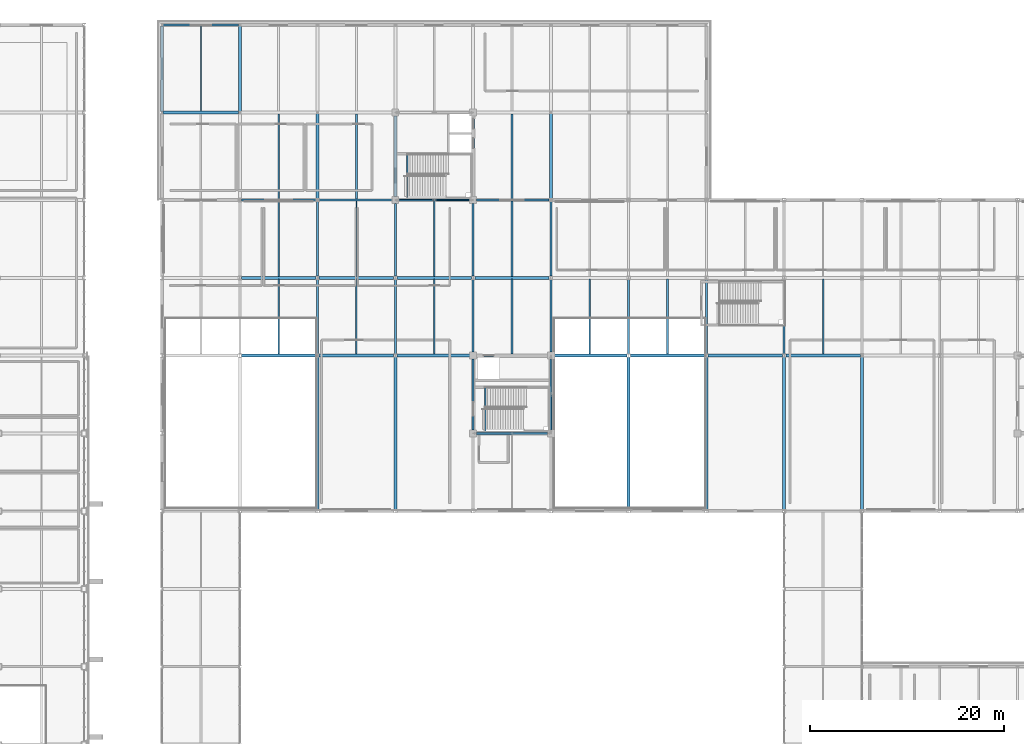
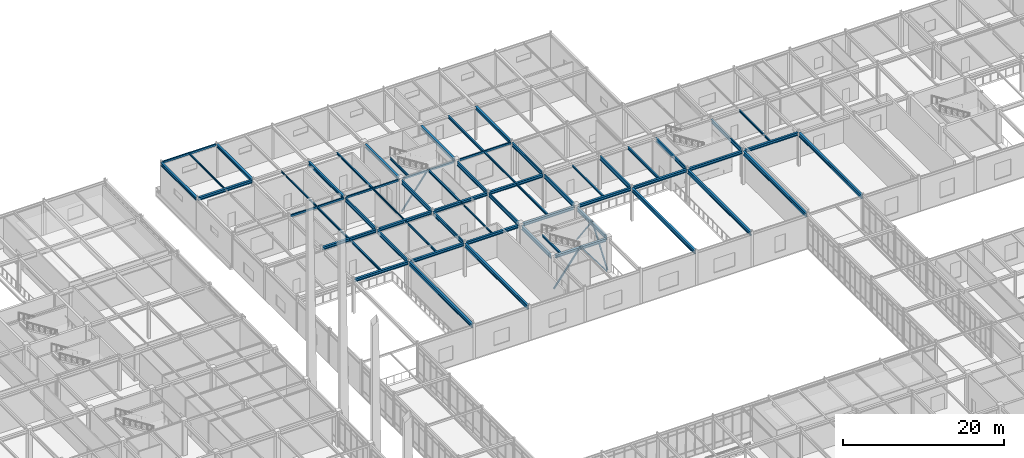
# One storey, part 70 of 184: 61 beams, 6 members.
"""IFC4 building model written with IfcOpenShell, lengths in metres."""

from ifc_helpers import new_model, si_unit, direction, frame, origin, origin_2d, place, context, subcontext, project, spatial, hollow_rectangle, i_section, extrude, material, material_profile, profile_set, type_object, element, save


model = new_model("IFC4")

# Units and contexts
model_context = context("Model", 3, precision=1e-05, world=origin(), true_north=direction((0.0, 1.0)))
body_context = subcontext(model_context, "Body", "Model", "MODEL_VIEW")
ifc_project = project(units=[si_unit("LENGTHUNIT", "METRE"), si_unit("AREAUNIT", "SQUARE_METRE"), si_unit("VOLUMEUNIT", "CUBIC_METRE"), si_unit("PLANEANGLEUNIT", "RADIAN"), si_unit("MASSUNIT", "GRAM", prefix="KILO")], contexts=[model_context])

# Site, building, storey
site_placement = place(None, origin())
site = spatial("IfcSite", under=ifc_project, at=site_placement, CompositionType="ELEMENT")
building_placement = place(site_placement, origin())
building = spatial("IfcBuilding", under=site, at=building_placement, Name="Zhaolan Boulevard Law Courts", CompositionType="ELEMENT")
storey_placement = place(building_placement, frame((0.0, 0.0, 5.39990234375)))
storey = spatial("IfcBuildingStorey", under=building, at=storey_placement, Name="L01", CompositionType="ELEMENT", Elevation=5.39990234375)

# Members
ifc_material_1 = material(Name="Structural steel Q355B", Category="steel")
ifc_material_profile_1 = material_profile(ifc_material_1, hollow_rectangle(XDim=0.159912109375, YDim=0.159912109375, WallThickness=0.008056640625, InnerFilletRadius=0.008056640625, OuterFilletRadius=0.01611328125, at=origin_2d()), Name="HSS160x160x8")
ifc_profile_set_1 = profile_set([ifc_material_profile_1], Name="Structural steel Q355B")
member_type_1 = type_object("IfcMemberType", Name="BRACE HSS160", PredefinedType="BRACE", material=ifc_profile_set_1)
for number, where, z_axis, x_axis, name in (
    (1, (92.0, 77.820068359375, 0.030029296875), (0.0, -0.600251625626, 0.799811218935), (1.0, 0.0, 0.0), "Core Brace BR-T1-L01-E2"),
    (2, (83.820068359375, 94.0, 0.030029296875), (-0.600251625626, 0.0, 0.799811218935), (0.0, -1.0, 0.0), "Core Brace BR-C1-L01-S2"),
):
    element("IfcMember", number, at=place(storey_placement, frame(where, z_axis=z_axis, x_axis=x_axis)), inside=storey, type_object=member_type_1, Name=name, PredefinedType="BRACE", context=body_context, shape_type="SweptSolid", body=[
        extrude(hollow_rectangle(XDim=0.159912109375, YDim=0.159912109375, WallThickness=0.008056640625, InnerFilletRadius=0.008056640625, OuterFilletRadius=0.01611328125, at=origin_2d()), origin(), (0.0, 0.0, 1.0), 6.364013671875),
    ])
ifc_material_2 = material(Name="Structural steel Q355B", Category="steel")
ifc_material_profile_2 = material_profile(ifc_material_2, hollow_rectangle(XDim=0.179931640625, YDim=0.179931640625, WallThickness=0.008056640625, InnerFilletRadius=0.008056640625, OuterFilletRadius=0.01611328125, at=origin_2d()), Name="HSS180x180x8")
ifc_profile_set_2 = profile_set([ifc_material_profile_2], Name="Structural steel Q355B")
member_type_2 = type_object("IfcMemberType", Name="BRACE HSS180", PredefinedType="BRACE", material=ifc_profile_set_2)
for number, where, z_axis, x_axis, name in (
    (3, (91.820068359375, 70.0, 0.030029296875), (-0.600251625626, 0.0, 0.799811218935), (0.0, -1.0, 0.0), "Core Brace BR-T1-L01-S2"),
    (4, (92.0, 70.179931640625, 0.030029296875), (0.0, 0.600251625626, 0.799811218935), (-1.0, 0.0, 0.0), "Core Brace BR-T1-L01-E1"),
    (5, (76.179931640625, 94.0, 0.030029296875), (0.600251625626, 0.0, 0.799811218935), (0.0, 1.0, 0.0), "Core Brace BR-C1-L01-S1"),
):
    element("IfcMember", number, at=place(storey_placement, frame(where, z_axis=z_axis, x_axis=x_axis)), inside=storey, type_object=member_type_2, Name=name, PredefinedType="BRACE", context=body_context, shape_type="SweptSolid", body=[
        extrude(hollow_rectangle(XDim=0.179931640625, YDim=0.179931640625, WallThickness=0.008056640625, InnerFilletRadius=0.008056640625, OuterFilletRadius=0.01611328125, at=origin_2d()), origin(), (0.0, 0.0, 1.0), 6.364013671875),
    ])
ifc_material_3 = material(Name="Structural steel Q355B", Category="steel")
ifc_material_profile_3 = material_profile(ifc_material_3, hollow_rectangle(XDim=0.199951171875, YDim=0.199951171875, WallThickness=0.010009765625, InnerFilletRadius=0.010009765625, OuterFilletRadius=0.02001953125, at=origin_2d()), Name="HSS200x200x10")
ifc_profile_set_3 = profile_set([ifc_material_profile_3], Name="Structural steel Q355B")
member_type_3 = type_object("IfcMemberType", Name="BRACE HSS200", PredefinedType="BRACE", material=ifc_profile_set_3)
member_placement = place(storey_placement, frame((84.179931640625, 70.0, 0.030029296875), z_axis=(0.600251625626, 0.0, 0.799811218935), x_axis=(0.0, 1.0, 0.0)))
element("IfcMember", 6, at=member_placement, inside=storey, type_object=member_type_3, Name="Core Brace BR-T1-L01-S1", PredefinedType="BRACE", context=body_context, shape_type="SweptSolid", body=[
    extrude(hollow_rectangle(XDim=0.199951171875, YDim=0.199951171875, WallThickness=0.010009765625, InnerFilletRadius=0.010009765625, OuterFilletRadius=0.02001953125, at=origin_2d()), origin(), (0.0, 0.0, 1.0), 6.364013671875),
])

# Beams
ifc_material_4 = material(Name="Structural steel Q355B", Category="steel")
ifc_material_profile_4 = material_profile(ifc_material_4, i_section(OverallWidth=0.300048828125, OverallDepth=0.43994140625, WebThickness=0.010986328125, FlangeThickness=0.01806640625, FilletRadius=0.02001953125, at=origin_2d()), Name="HM440x300")
ifc_profile_set_4 = profile_set([ifc_material_profile_4], Name="Structural steel Q355B")
beam_type_1 = type_object("IfcBeamType", Name="GIRDER HM440", PredefinedType="BEAM", material=ifc_profile_set_4)
beam_1_placement = place(storey_placement, frame((84.345947265625, 70.0, 4.898193359375), z_axis=(1.0, 0.0, 0.0), x_axis=(0.0, 1.0, 0.0)))
element("IfcBeam", 7, at=beam_1_placement, inside=storey, type_object=beam_type_1, Name="Beam BX-L02-11-12-K", PredefinedType="BEAM", context=body_context, shape_type="SweptSolid", body=[
    extrude(i_section(OverallWidth=0.300048828125, OverallDepth=0.43994140625, WebThickness=0.010986328125, FlangeThickness=0.01806640625, FilletRadius=0.02001953125, at=origin_2d()), origin(), (0.0, 0.0, 1.0), 7.30810546875),
])
for number, where, z_axis, x_axis, name in (
    (8, (60.1708984375, 78.0, 4.898193359375), (1.0, 0.0, 0.0), (0.0, 1.0, 0.0), "Beam BX-L02-8-9-L"),
    (9, (68.1708984375, 78.0, 4.898193359375), (1.0, 0.0, 0.0), (0.0, 1.0, 0.0), "Beam BX-L02-9-10-L"),
):
    element("IfcBeam", number, at=place(storey_placement, frame(where, z_axis=z_axis, x_axis=x_axis)), inside=storey, type_object=beam_type_1, Name=name, PredefinedType="BEAM", context=body_context, shape_type="SweptSolid", body=[
        extrude(i_section(OverallWidth=0.300048828125, OverallDepth=0.43994140625, WebThickness=0.010986328125, FlangeThickness=0.01806640625, FilletRadius=0.02001953125, at=origin_2d()), origin(), (0.0, 0.0, 1.0), 7.658203125),
    ])
beam_2_placement = place(storey_placement, frame((76.1708984375, 78.0, 4.898193359375), z_axis=(1.0, 0.0, 0.0), x_axis=(0.0, 1.0, 0.0)))
element("IfcBeam", 10, at=beam_2_placement, inside=storey, type_object=beam_type_1, Name="Beam BX-L02-10-11-L", PredefinedType="BEAM", context=body_context, shape_type="SweptSolid", body=[
    extrude(i_section(OverallWidth=0.300048828125, OverallDepth=0.43994140625, WebThickness=0.010986328125, FlangeThickness=0.01806640625, FilletRadius=0.02001953125, at=origin_2d()), origin(), (0.0, 0.0, 1.0), 7.483154296875),
])
beam_3_placement = place(storey_placement, frame((84.345947265625, 78.0, 4.898193359375), z_axis=(1.0, 0.0, 0.0), x_axis=(0.0, 1.0, 0.0)))
element("IfcBeam", 11, at=beam_3_placement, inside=storey, type_object=beam_type_1, Name="Beam BX-L02-11-12-L", PredefinedType="BEAM", context=body_context, shape_type="SweptSolid", body=[
    extrude(i_section(OverallWidth=0.300048828125, OverallDepth=0.43994140625, WebThickness=0.010986328125, FlangeThickness=0.01806640625, FilletRadius=0.02001953125, at=origin_2d()), origin(), (0.0, 0.0, 1.0), 7.30810546875),
])
beam_4_placement = place(storey_placement, frame((92.345947265625, 78.0, 4.898193359375), z_axis=(1.0, 0.0, 0.0), x_axis=(0.0, 1.0, 0.0)))
element("IfcBeam", 12, at=beam_4_placement, inside=storey, type_object=beam_type_1, Name="Beam BX-L02-12-13-L", PredefinedType="BEAM", context=body_context, shape_type="SweptSolid", body=[
    extrude(i_section(OverallWidth=0.300048828125, OverallDepth=0.43994140625, WebThickness=0.010986328125, FlangeThickness=0.01806640625, FilletRadius=0.02001953125, at=origin_2d()), origin(), (0.0, 0.0, 1.0), 7.483154296875),
])
for number, where, z_axis, x_axis, name in (
    (13, (100.1708984375, 78.0, 4.898193359375), (1.0, 0.0, 0.0), (0.0, 1.0, 0.0), "Beam BX-L02-13-14-L"),
    (14, (108.1708984375, 78.0, 4.898193359375), (1.0, 0.0, 0.0), (0.0, 1.0, 0.0), "Beam BX-L02-14-15-L"),
    (15, (116.1708984375, 78.0, 4.898193359375), (1.0, 0.0, 0.0), (0.0, 1.0, 0.0), "Beam BX-L02-15-16-L"),
    (16, (60.1708984375, 86.0, 4.898193359375), (1.0, 0.0, 0.0), (0.0, 1.0, 0.0), "Beam BX-L02-8-9-M"),
    (17, (68.1708984375, 86.0, 4.898193359375), (1.0, 0.0, 0.0), (0.0, 1.0, 0.0), "Beam BX-L02-9-10-M"),
    (18, (76.1708984375, 86.0, 4.898193359375), (1.0, 0.0, 0.0), (0.0, 1.0, 0.0), "Beam BX-L02-10-11-M"),
    (19, (84.1708984375, 86.0, 4.898193359375), (1.0, 0.0, 0.0), (0.0, 1.0, 0.0), "Beam BX-L02-11-12-M"),
):
    element("IfcBeam", number, at=place(storey_placement, frame(where, z_axis=z_axis, x_axis=x_axis)), inside=storey, type_object=beam_type_1, Name=name, PredefinedType="BEAM", context=body_context, shape_type="SweptSolid", body=[
        extrude(i_section(OverallWidth=0.300048828125, OverallDepth=0.43994140625, WebThickness=0.010986328125, FlangeThickness=0.01806640625, FilletRadius=0.02001953125, at=origin_2d()), origin(), (0.0, 0.0, 1.0), 7.658203125),
    ])
beam_5_placement = place(storey_placement, frame((52.12109375, 103.0, 4.918212890625), z_axis=(1.0, 0.0, 0.0), x_axis=(0.0, 1.0, 0.0)))
element("IfcBeam", 20, at=beam_5_placement, inside=storey, type_object=beam_type_1, Name="Beam BX-L02-7-8-P", PredefinedType="BEAM", context=body_context, shape_type="SweptSolid", body=[
    extrude(i_section(OverallWidth=0.300048828125, OverallDepth=0.43994140625, WebThickness=0.010986328125, FlangeThickness=0.01806640625, FilletRadius=0.02001953125, at=origin_2d()), origin(), (0.0, 0.0, 1.0), 7.7578125),
])
ifc_material_5 = material(Name="Structural steel Q355B", Category="steel")
ifc_material_profile_5 = material_profile(ifc_material_5, i_section(OverallWidth=0.300048828125, OverallDepth=0.48193359375, WebThickness=0.010986328125, FlangeThickness=0.014892578125, FilletRadius=0.02197265625, at=origin_2d()), Name="HM482x300")
ifc_profile_set_5 = profile_set([ifc_material_profile_5], Name="Structural steel Q355B")
beam_type_2 = type_object("IfcBeamType", Name="GIRDER HM488", PredefinedType="BEAM", material=ifc_profile_set_5)
for number, where, z_axis, x_axis, name in (
    (21, (52.0, 103.12109375, 4.897216796875), (0.0, 1.0, 0.0), (-1.0, 0.0, 0.0), "Beam BY-L02-7-P-Q"),
    (22, (60.0, 103.12109375, 4.897216796875), (0.0, 1.0, 0.0), (-1.0, 0.0, 0.0), "Beam BY-L02-8-P-Q"),
):
    element("IfcBeam", number, at=place(storey_placement, frame(where, z_axis=z_axis, x_axis=x_axis)), inside=storey, type_object=beam_type_2, Name=name, PredefinedType="BEAM", context=body_context, shape_type="SweptSolid", body=[
        extrude(i_section(OverallWidth=0.300048828125, OverallDepth=0.48193359375, WebThickness=0.010986328125, FlangeThickness=0.014892578125, FilletRadius=0.02197265625, at=origin_2d()), origin(), (0.0, 0.0, 1.0), 8.7578125),
    ])
beam_6_placement = place(storey_placement, frame((68.0, 94.1708984375, 4.897216796875), z_axis=(0.0, 1.0, 0.0), x_axis=(-1.0, 0.0, 0.0)))
element("IfcBeam", 23, at=beam_6_placement, inside=storey, type_object=beam_type_2, Name="Beam BY-L02-9-N-P", PredefinedType="BEAM", context=body_context, shape_type="SweptSolid", body=[
    extrude(i_section(OverallWidth=0.300048828125, OverallDepth=0.48193359375, WebThickness=0.010986328125, FlangeThickness=0.014892578125, FilletRadius=0.02197265625, at=origin_2d()), origin(), (0.0, 0.0, 1.0), 8.7080078125),
])
for number, where, z_axis, x_axis, name in (
    (24, (76.0, 94.345947265625, 4.897216796875), (0.0, 1.0, 0.0), (-1.0, 0.0, 0.0), "Beam BY-L02-10-N-P"),
    (25, (84.0, 94.345947265625, 4.897216796875), (0.0, 1.0, 0.0), (-1.0, 0.0, 0.0), "Beam BY-L02-11-N-P"),
):
    element("IfcBeam", number, at=place(storey_placement, frame(where, z_axis=z_axis, x_axis=x_axis)), inside=storey, type_object=beam_type_2, Name=name, PredefinedType="BEAM", context=body_context, shape_type="SweptSolid", body=[
        extrude(i_section(OverallWidth=0.300048828125, OverallDepth=0.48193359375, WebThickness=0.010986328125, FlangeThickness=0.014892578125, FilletRadius=0.02197265625, at=origin_2d()), origin(), (0.0, 0.0, 1.0), 8.30810546875),
    ])
beam_7_placement = place(storey_placement, frame((92.0, 94.1708984375, 4.897216796875), z_axis=(0.0, 1.0, 0.0), x_axis=(-1.0, 0.0, 0.0)))
element("IfcBeam", 26, at=beam_7_placement, inside=storey, type_object=beam_type_2, Name="Beam BY-L02-12-N-P", PredefinedType="BEAM", context=body_context, shape_type="SweptSolid", body=[
    extrude(i_section(OverallWidth=0.300048828125, OverallDepth=0.48193359375, WebThickness=0.010986328125, FlangeThickness=0.014892578125, FilletRadius=0.02197265625, at=origin_2d()), origin(), (0.0, 0.0, 1.0), 8.7080078125),
])
ifc_material_6 = material(Name="Structural steel Q390B", Category="steel")
ifc_material_profile_6 = material_profile(ifc_material_6, i_section(OverallWidth=0.300048828125, OverallDepth=0.587890625, WebThickness=0.011962890625, FlangeThickness=0.02001953125, FilletRadius=0.02392578125, at=origin_2d()), Name="HM588x300")
ifc_profile_set_6 = profile_set([ifc_material_profile_6], Name="Structural steel Q390B")
beam_type_3 = type_object("IfcBeamType", Name="GIRDER HM588", PredefinedType="BEAM", material=ifc_profile_set_6)
for number, where, z_axis, x_axis, name in (
    (27, (68.0, 62.1708984375, 4.82421875), (0.0, 1.0, 0.0), (-1.0, 0.0, 0.0), "Beam BY-L02-9-J-L"),
    (28, (76.0, 62.1708984375, 4.82421875), (0.0, 1.0, 0.0), (-1.0, 0.0, 0.0), "Beam BY-L02-10-J-L"),
    (29, (100.0, 62.1708984375, 4.82421875), (0.0, 1.0, 0.0), (-1.0, 0.0, 0.0), "Beam BY-L02-13-J-L"),
    (30, (108.0, 62.1708984375, 4.82421875), (0.0, 1.0, 0.0), (-1.0, 0.0, 0.0), "Beam BY-L02-14-J-L"),
    (31, (116.0, 62.1708984375, 4.82421875), (0.0, 1.0, 0.0), (-1.0, 0.0, 0.0), "Beam BY-L02-15-J-L"),
    (32, (124.0, 62.1708984375, 4.82421875), (0.0, 1.0, 0.0), (-1.0, 0.0, 0.0), "Beam BY-L02-16-J-L"),
):
    element("IfcBeam", number, at=place(storey_placement, frame(where, z_axis=z_axis, x_axis=x_axis)), inside=storey, type_object=beam_type_3, Name=name, PredefinedType="BEAM", context=body_context, shape_type="SweptSolid", body=[
        extrude(i_section(OverallWidth=0.300048828125, OverallDepth=0.587890625, WebThickness=0.011962890625, FlangeThickness=0.02001953125, FilletRadius=0.02392578125, at=origin_2d()), origin(), (0.0, 0.0, 1.0), 15.658203125),
    ])
ifc_material_7 = material(Name="Structural steel Q355B", Category="steel")
ifc_material_profile_7 = material_profile(ifc_material_7, i_section(OverallWidth=0.199951171875, OverallDepth=0.60009765625, WebThickness=0.010986328125, FlangeThickness=0.01708984375, FilletRadius=0.02001953125, at=origin_2d()), Name="HN600x200")
ifc_profile_set_7 = profile_set([ifc_material_profile_7], Name="Structural steel Q355B")
beam_type_4 = type_object("IfcBeamType", Name="GIRDER HN600", PredefinedType="BEAM", material=ifc_profile_set_7)
for number, where, z_axis, x_axis, name in (
    (33, (68.0, 78.1708984375, 4.818115234375), (0.0, 1.0, 0.0), (-1.0, 0.0, 0.0), "Beam BY-L02-9-L-M"),
    (34, (68.0, 86.1708984375, 4.818115234375), (0.0, 1.0, 0.0), (-1.0, 0.0, 0.0), "Beam BY-L02-9-M-N"),
    (35, (76.0, 78.1708984375, 4.818115234375), (0.0, 1.0, 0.0), (-1.0, 0.0, 0.0), "Beam BY-L02-10-L-M"),
):
    element("IfcBeam", number, at=place(storey_placement, frame(where, z_axis=z_axis, x_axis=x_axis)), inside=storey, type_object=beam_type_4, Name=name, PredefinedType="BEAM", context=body_context, shape_type="SweptSolid", body=[
        extrude(i_section(OverallWidth=0.199951171875, OverallDepth=0.60009765625, WebThickness=0.010986328125, FlangeThickness=0.01708984375, FilletRadius=0.02001953125, at=origin_2d()), origin(), (0.0, 0.0, 1.0), 7.658203125),
    ])
beam_8_placement = place(storey_placement, frame((76.0, 86.1708984375, 4.818115234375), z_axis=(0.0, 1.0, 0.0), x_axis=(-1.0, 0.0, 0.0)))
element("IfcBeam", 36, at=beam_8_placement, inside=storey, type_object=beam_type_4, Name="Beam BY-L02-10-M-N", PredefinedType="BEAM", context=body_context, shape_type="SweptSolid", body=[
    extrude(i_section(OverallWidth=0.199951171875, OverallDepth=0.60009765625, WebThickness=0.010986328125, FlangeThickness=0.01708984375, FilletRadius=0.02001953125, at=origin_2d()), origin(), (0.0, 0.0, 1.0), 7.483154296875),
])
beam_9_placement = place(storey_placement, frame((84.0, 70.345947265625, 4.818115234375), z_axis=(0.0, 1.0, 0.0), x_axis=(-1.0, 0.0, 0.0)))
element("IfcBeam", 37, at=beam_9_placement, inside=storey, type_object=beam_type_4, Name="Beam BY-L02-11-K-L", PredefinedType="BEAM", context=body_context, shape_type="SweptSolid", body=[
    extrude(i_section(OverallWidth=0.199951171875, OverallDepth=0.60009765625, WebThickness=0.010986328125, FlangeThickness=0.01708984375, FilletRadius=0.02001953125, at=origin_2d()), origin(), (0.0, 0.0, 1.0), 7.30810546875),
])
for number, where, z_axis, x_axis, name in (
    (38, (84.0, 78.345947265625, 4.818115234375), (0.0, 1.0, 0.0), (-1.0, 0.0, 0.0), "Beam BY-L02-11-L-M"),
    (39, (84.0, 86.1708984375, 4.818115234375), (0.0, 1.0, 0.0), (-1.0, 0.0, 0.0), "Beam BY-L02-11-M-N"),
):
    element("IfcBeam", number, at=place(storey_placement, frame(where, z_axis=z_axis, x_axis=x_axis)), inside=storey, type_object=beam_type_4, Name=name, PredefinedType="BEAM", context=body_context, shape_type="SweptSolid", body=[
        extrude(i_section(OverallWidth=0.199951171875, OverallDepth=0.60009765625, WebThickness=0.010986328125, FlangeThickness=0.01708984375, FilletRadius=0.02001953125, at=origin_2d()), origin(), (0.0, 0.0, 1.0), 7.483154296875),
    ])
beam_10_placement = place(storey_placement, frame((92.0, 70.345947265625, 4.818115234375), z_axis=(0.0, 1.0, 0.0), x_axis=(-1.0, 0.0, 0.0)))
element("IfcBeam", 40, at=beam_10_placement, inside=storey, type_object=beam_type_4, Name="Beam BY-L02-12-K-L", PredefinedType="BEAM", context=body_context, shape_type="SweptSolid", body=[
    extrude(i_section(OverallWidth=0.199951171875, OverallDepth=0.60009765625, WebThickness=0.010986328125, FlangeThickness=0.01708984375, FilletRadius=0.02001953125, at=origin_2d()), origin(), (0.0, 0.0, 1.0), 7.30810546875),
])
beam_11_placement = place(storey_placement, frame((92.0, 78.345947265625, 4.818115234375), z_axis=(0.0, 1.0, 0.0), x_axis=(-1.0, 0.0, 0.0)))
element("IfcBeam", 41, at=beam_11_placement, inside=storey, type_object=beam_type_4, Name="Beam BY-L02-12-L-M", PredefinedType="BEAM", context=body_context, shape_type="SweptSolid", body=[
    extrude(i_section(OverallWidth=0.199951171875, OverallDepth=0.60009765625, WebThickness=0.010986328125, FlangeThickness=0.01708984375, FilletRadius=0.02001953125, at=origin_2d()), origin(), (0.0, 0.0, 1.0), 7.483154296875),
])
for number, where, z_axis, x_axis, name in (
    (42, (92.0, 86.1708984375, 4.818115234375), (0.0, 1.0, 0.0), (-1.0, 0.0, 0.0), "Beam BY-L02-12-M-N"),
    (43, (100.0, 78.1708984375, 4.818115234375), (0.0, 1.0, 0.0), (-1.0, 0.0, 0.0), "Beam BY-L02-13-L-M"),
    (44, (108.0, 78.1708984375, 4.818115234375), (0.0, 1.0, 0.0), (-1.0, 0.0, 0.0), "Beam BY-L02-14-L-M"),
    (45, (116.0, 78.1708984375, 4.818115234375), (0.0, 1.0, 0.0), (-1.0, 0.0, 0.0), "Beam BY-L02-15-L-M"),
):
    element("IfcBeam", number, at=place(storey_placement, frame(where, z_axis=z_axis, x_axis=x_axis)), inside=storey, type_object=beam_type_4, Name=name, PredefinedType="BEAM", context=body_context, shape_type="SweptSolid", body=[
        extrude(i_section(OverallWidth=0.199951171875, OverallDepth=0.60009765625, WebThickness=0.010986328125, FlangeThickness=0.01708984375, FilletRadius=0.02001953125, at=origin_2d()), origin(), (0.0, 0.0, 1.0), 7.658203125),
    ])
ifc_material_8 = material(Name="Structural steel Q355B", Category="steel")
ifc_material_profile_8 = material_profile(ifc_material_8, i_section(OverallWidth=0.175048828125, OverallDepth=0.243896484375, WebThickness=0.007080078125, FlangeThickness=0.010986328125, FilletRadius=0.012939453125, at=origin_2d()), Name="HM244x175")
ifc_profile_set_8 = profile_set([ifc_material_profile_8], Name="Structural steel Q355B")
beam_type_5 = type_object("IfcBeamType", Name="JOIST HM244", PredefinedType="JOIST", material=ifc_profile_set_8)
beam_12_placement = place(storey_placement, frame((88.0, 86.14599609375, 4.99609375), z_axis=(0.0, 1.0, 0.0), x_axis=(-1.0, 0.0, 0.0)))
element("IfcBeam", 46, at=beam_12_placement, inside=storey, type_object=beam_type_5, Name="Composite Joist J-L02-11M", PredefinedType="JOIST", context=body_context, shape_type="SweptSolid", body=[
    extrude(i_section(OverallWidth=0.175048828125, OverallDepth=0.243896484375, WebThickness=0.007080078125, FlangeThickness=0.010986328125, FilletRadius=0.012939453125, at=origin_2d()), origin(), (0.0, 0.0, 1.0), 7.758056640625),
])
beam_13_placement = place(storey_placement, frame((96.0, 78.14599609375, 4.99609375), z_axis=(0.0, 1.0, 0.0), x_axis=(-1.0, 0.0, 0.0)))
element("IfcBeam", 47, at=beam_13_placement, inside=storey, type_object=beam_type_5, Name="Composite Joist J-L02-12L", PredefinedType="JOIST", context=body_context, shape_type="SweptSolid", body=[
    extrude(i_section(OverallWidth=0.175048828125, OverallDepth=0.243896484375, WebThickness=0.007080078125, FlangeThickness=0.010986328125, FilletRadius=0.012939453125, at=origin_2d()), origin(), (0.0, 0.0, 1.0), 7.7080078125),
])
ifc_material_9 = material(Name="Structural steel Q355B", Category="steel")
ifc_material_profile_9 = material_profile(ifc_material_9, i_section(OverallWidth=0.199951171875, OverallDepth=0.2939453125, WebThickness=0.008056640625, FlangeThickness=0.011962890625, FilletRadius=0.01611328125, at=origin_2d()), Name="HM294x200")
ifc_profile_set_9 = profile_set([ifc_material_profile_9], Name="Structural steel Q355B")
beam_type_6 = type_object("IfcBeamType", Name="JOIST HM294", PredefinedType="JOIST", material=ifc_profile_set_9)
beam_14_placement = place(storey_placement, frame((72.0, 94.095947265625, 4.9912109375), z_axis=(0.0, 1.0, 0.0), x_axis=(-1.0, 0.0, 0.0)))
element("IfcBeam", 48, at=beam_14_placement, inside=storey, type_object=beam_type_6, Name="Composite Joist J-L02-9N", PredefinedType="JOIST", context=body_context, shape_type="SweptSolid", body=[
    extrude(i_section(OverallWidth=0.199951171875, OverallDepth=0.2939453125, WebThickness=0.008056640625, FlangeThickness=0.011962890625, FilletRadius=0.01611328125, at=origin_2d()), origin(), (0.0, 0.0, 1.0), 8.758056640625),
])
beam_15_placement = place(storey_placement, frame((80.0, 86.14599609375, 4.97119140625), z_axis=(0.0, 1.0, 0.0), x_axis=(-1.0, 0.0, 0.0)))
element("IfcBeam", 49, at=beam_15_placement, inside=storey, type_object=beam_type_6, Name="Composite Joist J-L02-10M", PredefinedType="JOIST", context=body_context, shape_type="SweptSolid", body=[
    extrude(i_section(OverallWidth=0.199951171875, OverallDepth=0.2939453125, WebThickness=0.008056640625, FlangeThickness=0.011962890625, FilletRadius=0.01611328125, at=origin_2d()), origin(), (0.0, 0.0, 1.0), 7.758056640625),
])
beam_16_placement = place(storey_placement, frame((88.0, 78.14599609375, 4.97119140625), z_axis=(0.0, 1.0, 0.0), x_axis=(-1.0, 0.0, 0.0)))
element("IfcBeam", 50, at=beam_16_placement, inside=storey, type_object=beam_type_6, Name="Composite Joist J-L02-11L", PredefinedType="JOIST", context=body_context, shape_type="SweptSolid", body=[
    extrude(i_section(OverallWidth=0.199951171875, OverallDepth=0.2939453125, WebThickness=0.008056640625, FlangeThickness=0.011962890625, FilletRadius=0.01611328125, at=origin_2d()), origin(), (0.0, 0.0, 1.0), 7.7080078125),
])
ifc_material_10 = material(Name="Structural steel Q355B", Category="steel")
ifc_material_profile_10 = material_profile(ifc_material_10, i_section(OverallWidth=0.125, OverallDepth=0.25, WebThickness=0.006103515625, FlangeThickness=0.009033203125, FilletRadius=0.010009765625, at=origin_2d()), Name="HN250x125")
ifc_profile_set_10 = profile_set([ifc_material_profile_10], Name="Structural steel Q355B")
beam_type_7 = type_object("IfcBeamType", Name="JOIST HN250", PredefinedType="JOIST", material=ifc_profile_set_10)
for number, where, z_axis, x_axis, name in (
    (51, (56.0, 103.14599609375, 5.01318359375), (0.0, 1.0, 0.0), (-1.0, 0.0, 0.0), "Composite Joist J-L02-7P"),
    (52, (64.0, 94.095947265625, 5.01318359375), (0.0, 1.0, 0.0), (-1.0, 0.0, 0.0), "Composite Joist J-L02-8N"),
):
    element("IfcBeam", number, at=place(storey_placement, frame(where, z_axis=z_axis, x_axis=x_axis)), inside=storey, type_object=beam_type_7, Name=name, PredefinedType="JOIST", context=body_context, shape_type="SweptSolid", body=[
        extrude(i_section(OverallWidth=0.125, OverallDepth=0.25, WebThickness=0.006103515625, FlangeThickness=0.009033203125, FilletRadius=0.010009765625, at=origin_2d()), origin(), (0.0, 0.0, 1.0), 8.758056640625),
    ])
beam_17_placement = place(storey_placement, frame((72.0, 86.14599609375, 4.9931640625), z_axis=(0.0, 1.0, 0.0), x_axis=(-1.0, 0.0, 0.0)))
element("IfcBeam", 53, at=beam_17_placement, inside=storey, type_object=beam_type_7, Name="Composite Joist J-L02-9M", PredefinedType="JOIST", context=body_context, shape_type="SweptSolid", body=[
    extrude(i_section(OverallWidth=0.125, OverallDepth=0.25, WebThickness=0.006103515625, FlangeThickness=0.009033203125, FilletRadius=0.010009765625, at=origin_2d()), origin(), (0.0, 0.0, 1.0), 7.758056640625),
])
beam_18_placement = place(storey_placement, frame((80.0, 78.14599609375, 4.9931640625), z_axis=(0.0, 1.0, 0.0), x_axis=(-1.0, 0.0, 0.0)))
element("IfcBeam", 54, at=beam_18_placement, inside=storey, type_object=beam_type_7, Name="Composite Joist J-L02-10L", PredefinedType="JOIST", context=body_context, shape_type="SweptSolid", body=[
    extrude(i_section(OverallWidth=0.125, OverallDepth=0.25, WebThickness=0.006103515625, FlangeThickness=0.009033203125, FilletRadius=0.010009765625, at=origin_2d()), origin(), (0.0, 0.0, 1.0), 7.7080078125),
])
ifc_material_11 = material(Name="Structural steel Q355B", Category="steel")
ifc_material_profile_11 = material_profile(ifc_material_11, i_section(OverallWidth=0.14990234375, OverallDepth=0.300048828125, WebThickness=0.006591796875, FlangeThickness=0.009033203125, FilletRadius=0.010986328125, at=origin_2d()), Name="HN300x150")
ifc_profile_set_11 = profile_set([ifc_material_profile_11], Name="Structural steel Q355B")
beam_type_8 = type_object("IfcBeamType", Name="JOIST HN300", PredefinedType="JOIST", material=ifc_profile_set_11)
beam_19_placement = place(storey_placement, frame((64.0, 86.14599609375, 4.968017578125), z_axis=(0.0, 1.0, 0.0), x_axis=(-1.0, 0.0, 0.0)))
element("IfcBeam", 55, at=beam_19_placement, inside=storey, type_object=beam_type_8, Name="Composite Joist J-L02-8M", PredefinedType="JOIST", context=body_context, shape_type="SweptSolid", body=[
    extrude(i_section(OverallWidth=0.14990234375, OverallDepth=0.300048828125, WebThickness=0.006591796875, FlangeThickness=0.009033203125, FilletRadius=0.010986328125, at=origin_2d()), origin(), (0.0, 0.0, 1.0), 7.758056640625),
])
for number, where, z_axis, x_axis, name in (
    (56, (72.0, 78.14599609375, 4.968017578125), (0.0, 1.0, 0.0), (-1.0, 0.0, 0.0), "Composite Joist J-L02-9L"),
    (57, (120.0, 78.14599609375, 4.968017578125), (0.0, 1.0, 0.0), (-1.0, 0.0, 0.0), "Composite Joist J-L02-15L"),
):
    element("IfcBeam", number, at=place(storey_placement, frame(where, z_axis=z_axis, x_axis=x_axis)), inside=storey, type_object=beam_type_8, Name=name, PredefinedType="JOIST", context=body_context, shape_type="SweptSolid", body=[
        extrude(i_section(OverallWidth=0.14990234375, OverallDepth=0.300048828125, WebThickness=0.006591796875, FlangeThickness=0.009033203125, FilletRadius=0.010986328125, at=origin_2d()), origin(), (0.0, 0.0, 1.0), 7.7080078125),
    ])
ifc_material_12 = material(Name="Structural steel Q355B", Category="steel")
ifc_material_profile_12 = material_profile(ifc_material_12, i_section(OverallWidth=0.175048828125, OverallDepth=0.35009765625, WebThickness=0.007080078125, FlangeThickness=0.010986328125, FilletRadius=0.012939453125, at=origin_2d()), Name="HN350x175")
ifc_profile_set_12 = profile_set([ifc_material_profile_12], Name="Structural steel Q355B")
beam_type_9 = type_object("IfcBeamType", Name="JOIST HN350", PredefinedType="JOIST", material=ifc_profile_set_12)
beam_20_placement = place(storey_placement, frame((64.0, 78.14599609375, 4.943115234375), z_axis=(0.0, 1.0, 0.0), x_axis=(-1.0, 0.0, 0.0)))
element("IfcBeam", 58, at=beam_20_placement, inside=storey, type_object=beam_type_9, Name="Composite Joist J-L02-8L", PredefinedType="JOIST", context=body_context, shape_type="SweptSolid", body=[
    extrude(i_section(OverallWidth=0.175048828125, OverallDepth=0.35009765625, WebThickness=0.007080078125, FlangeThickness=0.010986328125, FilletRadius=0.012939453125, at=origin_2d()), origin(), (0.0, 0.0, 1.0), 7.7080078125),
])
ifc_material_13 = material(Name="Structural steel Q355B", Category="steel")
ifc_material_profile_13 = material_profile(ifc_material_13, i_section(OverallWidth=0.199951171875, OverallDepth=0.39990234375, WebThickness=0.008056640625, FlangeThickness=0.012939453125, FilletRadius=0.013916015625, at=origin_2d()), Name="HN400x200")
ifc_profile_set_13 = profile_set([ifc_material_profile_13], Name="Structural steel Q355B")
beam_type_10 = type_object("IfcBeamType", Name="JOIST HN400", PredefinedType="JOIST", material=ifc_profile_set_13)
beam_21_placement = place(storey_placement, frame((88.0, 94.095947265625, 4.93798828125), z_axis=(0.0, 1.0, 0.0), x_axis=(-1.0, 0.0, 0.0)))
element("IfcBeam", 59, at=beam_21_placement, inside=storey, type_object=beam_type_10, Name="Composite Joist J-L02-11N", PredefinedType="JOIST", context=body_context, shape_type="SweptSolid", body=[
    extrude(i_section(OverallWidth=0.199951171875, OverallDepth=0.39990234375, WebThickness=0.008056640625, FlangeThickness=0.012939453125, FilletRadius=0.013916015625, at=origin_2d()), origin(), (0.0, 0.0, 1.0), 8.758056640625),
])
beam_22_placement = place(storey_placement, frame((104.0, 78.14599609375, 4.918212890625), z_axis=(0.0, 1.0, 0.0), x_axis=(-1.0, 0.0, 0.0)))
element("IfcBeam", 60, at=beam_22_placement, inside=storey, type_object=beam_type_10, Name="Composite Joist J-L02-13L", PredefinedType="JOIST", context=body_context, shape_type="SweptSolid", body=[
    extrude(i_section(OverallWidth=0.199951171875, OverallDepth=0.39990234375, WebThickness=0.008056640625, FlangeThickness=0.012939453125, FilletRadius=0.013916015625, at=origin_2d()), origin(), (0.0, 0.0, 1.0), 7.7080078125),
])
ifc_material_14 = material(Name="Structural steel Q355B", Category="steel")
ifc_material_profile_14 = material_profile(ifc_material_14, hollow_rectangle(XDim=0.199951171875, YDim=0.300048828125, WallThickness=0.011962890625, InnerFilletRadius=0.011962890625, OuterFilletRadius=0.02392578125, at=origin_2d()), Name="HSS300x200x12")
ifc_profile_set_14 = profile_set([ifc_material_profile_14], Name="Structural steel Q355B")
beam_type_11 = type_object("IfcBeamType", Name="SPANDREL HSS300", PredefinedType="SPANDREL", material=ifc_profile_set_14)
beam_23_placement = place(storey_placement, frame((60.1708984375, 94.0, 4.968017578125), z_axis=(1.0, 0.0, 0.0), x_axis=(0.0, 1.0, 0.0)))
element("IfcBeam", 61, at=beam_23_placement, inside=storey, type_object=beam_type_11, Name="Beam BX-L02-8-9-N", PredefinedType="SPANDREL", context=body_context, shape_type="SweptSolid", body=[
    extrude(hollow_rectangle(XDim=0.199951171875, YDim=0.300048828125, WallThickness=0.011962890625, InnerFilletRadius=0.011962890625, OuterFilletRadius=0.02392578125, at=origin_2d()), origin(), (0.0, 0.0, 1.0), 7.658203125),
])
beam_24_placement = place(storey_placement, frame((68.1708984375, 94.0, 4.968017578125), z_axis=(1.0, 0.0, 0.0), x_axis=(0.0, 1.0, 0.0)))
element("IfcBeam", 62, at=beam_24_placement, inside=storey, type_object=beam_type_11, Name="Beam BX-L02-9-10-N", PredefinedType="SPANDREL", context=body_context, shape_type="SweptSolid", body=[
    extrude(hollow_rectangle(XDim=0.199951171875, YDim=0.300048828125, WallThickness=0.011962890625, InnerFilletRadius=0.011962890625, OuterFilletRadius=0.02392578125, at=origin_2d()), origin(), (0.0, 0.0, 1.0), 7.483154296875),
])
beam_25_placement = place(storey_placement, frame((76.345947265625, 94.0, 4.968017578125), z_axis=(1.0, 0.0, 0.0), x_axis=(0.0, 1.0, 0.0)))
element("IfcBeam", 63, at=beam_25_placement, inside=storey, type_object=beam_type_11, Name="Beam BX-L02-10-11-N", PredefinedType="SPANDREL", context=body_context, shape_type="SweptSolid", body=[
    extrude(hollow_rectangle(XDim=0.199951171875, YDim=0.300048828125, WallThickness=0.011962890625, InnerFilletRadius=0.011962890625, OuterFilletRadius=0.02392578125, at=origin_2d()), origin(), (0.0, 0.0, 1.0), 7.30810546875),
])
beam_26_placement = place(storey_placement, frame((84.345947265625, 94.0, 4.968017578125), z_axis=(1.0, 0.0, 0.0), x_axis=(0.0, 1.0, 0.0)))
element("IfcBeam", 64, at=beam_26_placement, inside=storey, type_object=beam_type_11, Name="Beam BX-L02-11-12-N", PredefinedType="SPANDREL", context=body_context, shape_type="SweptSolid", body=[
    extrude(hollow_rectangle(XDim=0.199951171875, YDim=0.300048828125, WallThickness=0.011962890625, InnerFilletRadius=0.011962890625, OuterFilletRadius=0.02392578125, at=origin_2d()), origin(), (0.0, 0.0, 1.0), 7.483154296875),
])
beam_27_placement = place(storey_placement, frame((52.12109375, 112.0, 4.988037109375), z_axis=(1.0, 0.0, 0.0), x_axis=(0.0, 1.0, 0.0)))
element("IfcBeam", 65, at=beam_27_placement, inside=storey, type_object=beam_type_11, Name="Beam BX-L02-7-8-Q", PredefinedType="SPANDREL", context=body_context, shape_type="SweptSolid", body=[
    extrude(hollow_rectangle(XDim=0.199951171875, YDim=0.300048828125, WallThickness=0.011962890625, InnerFilletRadius=0.011962890625, OuterFilletRadius=0.02392578125, at=origin_2d()), origin(), (0.0, 0.0, 1.0), 7.7578125),
])
ifc_material_15 = material(Name="Structural steel Q355B", Category="steel")
ifc_material_profile_15 = material_profile(ifc_material_15, i_section(OverallWidth=0.175048828125, OverallDepth=0.35009765625, WebThickness=0.007080078125, FlangeThickness=0.010986328125, FilletRadius=0.012939453125, at=origin_2d()), Name="HN350x175")
ifc_profile_set_15 = profile_set([ifc_material_profile_15], Name="Structural steel Q355B")
beam_type_12 = type_object("IfcBeamType", Name="STAIR TRIMMER HN350", PredefinedType="BEAM", material=ifc_profile_set_15)
for number, where, z_axis, x_axis, name in (
    (66, (85.235107421875, 70.1650390625, 4.93505859375), (0.0, 1.0, 0.0), (-1.0, 0.0, 0.0), "Stair Landing Trimmer Beam STB-ST08-L02"),
    (67, (77.235107421875, 94.1650390625, 4.93505859375), (0.0, 1.0, 0.0), (-1.0, 0.0, 0.0), "Stair Landing Trimmer Beam STB-ST11-L02"),
):
    element("IfcBeam", number, at=place(storey_placement, frame(where, z_axis=z_axis, x_axis=x_axis)), inside=storey, type_object=beam_type_12, Name=name, PredefinedType="BEAM", context=body_context, shape_type="SweptSolid", body=[
        extrude(i_section(OverallWidth=0.175048828125, OverallDepth=0.35009765625, WebThickness=0.007080078125, FlangeThickness=0.010986328125, FilletRadius=0.012939453125, at=origin_2d()), origin(), (0.0, 0.0, 1.0), 4.544921875),
    ])

save(model, "model.ifc")
